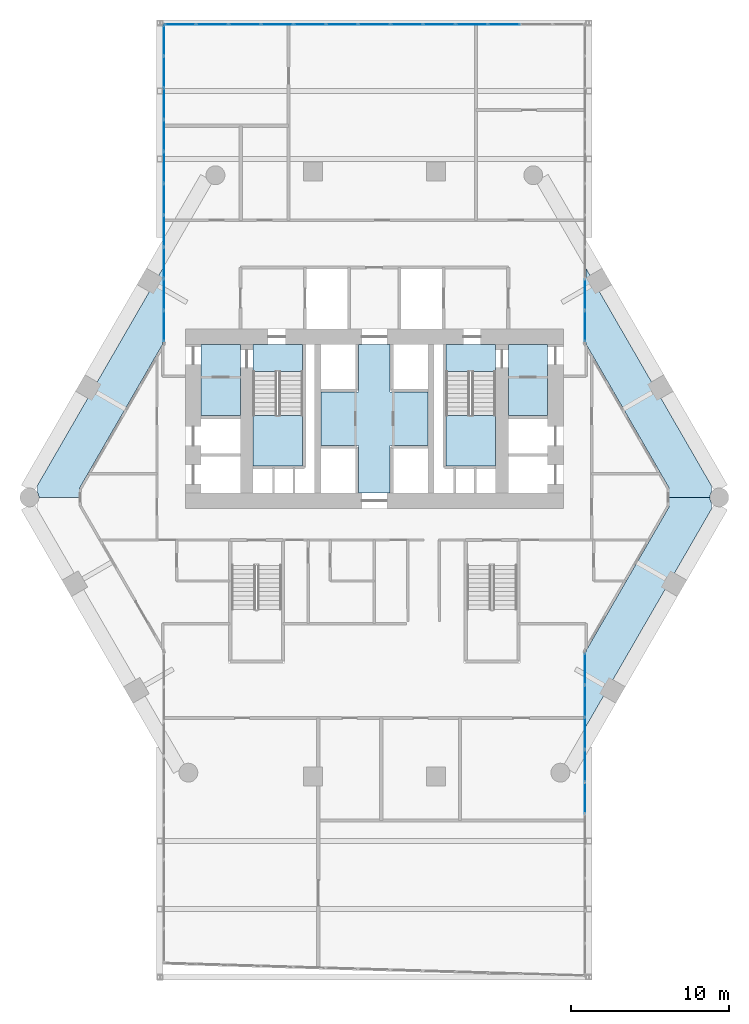
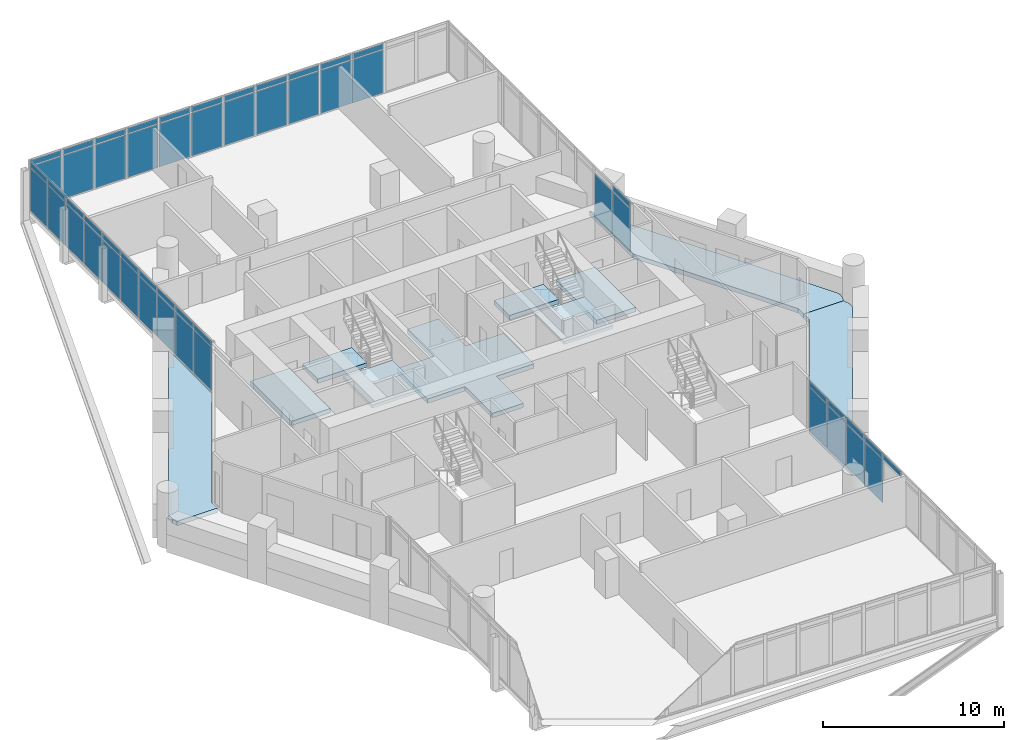
# One storey, part 28 of 37: 54 plates, 10 slabs, 6 elements without a shape of their own.
"""IFC4 building model written with IfcOpenShell, lengths in metres."""

import ifcopenshell
import ifcopenshell.guid

model = None  # the IFC model being written
_history = None  # IfcOwnerHistory: only IFC2X3 demands one
_inside = {}  # id of a spatial element -> (the spatial element, [elements in it])
_under = {}  # id of a project, library or spatial element -> (it, [spatial elements below it])
_declared = {}  # id of a project -> (the project, [libraries it declares])
_typed = {}  # id of a type object -> (the type object, [elements of that type])
_made_of = {}  # id of a material, layer set ... -> (it, [elements and type objects made of it])


def new_model(schema):
    """Start an empty IFC model of exactly this schema.

    Asked for "IFC4X3", IfcOpenShell would pick the latest addendum, in which some entities
    have other attributes; the version numbers below select the first issue.
    IFC2X3 requires an IfcOwnerHistory on every rooted entity: one is made here for all.
    """
    global model, _history
    if schema == "IFC4X3":
        model = ifcopenshell.file(schema_version=(4, 3, 0, 0))
    else:
        model = ifcopenshell.file(schema=schema)
    _inside.clear()
    _under.clear()
    _declared.clear()
    _typed.clear()
    _made_of.clear()
    _history = None
    if model.schema == "IFC2X3":
        org = make("IfcOrganization", Name="unknown")
        user = make(
            "IfcPersonAndOrganization",
            ThePerson=make("IfcPerson", FamilyName="unknown"),
            TheOrganization=org,
        )
        app = make(
            "IfcApplication",
            ApplicationDeveloper=org,
            Version="unknown",
            ApplicationFullName="unknown",
            ApplicationIdentifier="unknown",
        )
        _history = make(
            "IfcOwnerHistory",
            OwningUser=user,
            OwningApplication=app,
            ChangeAction="ADDED",
            CreationDate=0,
        )
    return model


def make(cls, **values):
    """One entity of the class cls with the attributes given. An attribute that is None is left unset."""
    return model.create_entity(
        cls, **{name: value for name, value in values.items() if value is not None}
    )


def rooted(cls, **values):
    """An entity with a GlobalId (a new one), such as an element, a storey or a relation."""
    return make(cls, GlobalId=ifcopenshell.guid.new(), OwnerHistory=_history, **values)


def si_unit(unit_type, name, prefix=None):
    """IfcSIUnit, for example si_unit("LENGTHUNIT", "METRE", prefix="MILLI")."""
    return make("IfcSIUnit", UnitType=unit_type, Prefix=prefix, Name=name)


def assignment(units):
    """IfcUnitAssignment: the units of a project."""
    return None if units is None else make("IfcUnitAssignment", Units=units)


def point(xyz):
    """IfcCartesianPoint."""
    return None if xyz is None else make("IfcCartesianPoint", Coordinates=xyz)


def direction(xyz):
    """IfcDirection."""
    return None if xyz is None else make("IfcDirection", DirectionRatios=xyz)


def frame(location, z_axis=None, x_axis=None):
    """IfcAxis2Placement3D, a coordinate frame: its origin and axes. An axis left out is left unset."""
    return make(
        "IfcAxis2Placement3D",
        Location=point(location),
        Axis=direction(z_axis),
        RefDirection=direction(x_axis),
    )


def frame_2d(location, x_axis=None):
    """IfcAxis2Placement2D, a coordinate frame in the plane: its origin and x axis."""
    return make(
        "IfcAxis2Placement2D", Location=point(location), RefDirection=direction(x_axis)
    )


def origin():
    """The frame at (0, 0, 0) with its axes left unset."""
    return frame((0.0, 0.0, 0.0))


def origin_2d():
    """The frame at (0, 0) in the plane with its x axis left unset."""
    return frame_2d((0.0, 0.0))


def place(relative_to, where):
    """IfcLocalPlacement: puts the frame where relative to a parent placement (None: the world)."""
    return make(
        "IfcLocalPlacement", PlacementRelTo=relative_to, RelativePlacement=where
    )


def context(
    kind, dimensions, precision=None, world=None, true_north=None, identifier=None
):
    """IfcGeometricRepresentationContext, for example the 3D "Model" context."""
    return make(
        "IfcGeometricRepresentationContext",
        ContextIdentifier=identifier,
        ContextType=kind,
        CoordinateSpaceDimension=dimensions,
        Precision=precision,
        WorldCoordinateSystem=world,
        TrueNorth=true_north,
    )


def subcontext(parent, identifier, kind, view, scale=None):
    """IfcGeometricRepresentationSubContext, for example "Body" below "Model"."""
    return make(
        "IfcGeometricRepresentationSubContext",
        ContextIdentifier=identifier,
        ContextType=kind,
        ParentContext=parent,
        TargetScale=scale,
        TargetView=view,
    )


def project(units=None, contexts=None):
    """IfcProject with its units and contexts."""
    return rooted(
        "IfcProject",
        Name="project",
        RepresentationContexts=contexts,
        UnitsInContext=assignment(units),
    )


def spatial(cls, under=None, at=None, **own):
    """A site, building, storey or space (cls), placed at a placement, below another one or the project."""
    s = rooted(cls, ObjectPlacement=at, **own)
    if under is not None:
        _under.setdefault(under.id(), (under, []))[1].append(s)
    return s


def polyline(points):
    """IfcPolyline through the points."""
    return make("IfcPolyline", Points=[point(p) for p in points])


def profile(cls, at=None, kind="AREA", **sizes):
    """A parametric profile (cls). Its sizes go by their IFC names, for example OverallWidth=200.0."""
    return make(cls, ProfileType=kind, Position=at, **sizes)


def rectangle(**sizes):
    """IfcRectangleProfileDef."""
    return profile("IfcRectangleProfileDef", **sizes)


def outline(outer, holes=None, kind="AREA"):
    """IfcArbitraryClosedProfileDef: a profile drawn as a closed curve; with holes, ...WithVoids."""
    if holes is None:
        return make("IfcArbitraryClosedProfileDef", ProfileType=kind, OuterCurve=outer)
    return make(
        "IfcArbitraryProfileDefWithVoids",
        ProfileType=kind,
        OuterCurve=outer,
        InnerCurves=holes,
    )


def extrude(swept, where, along, depth):
    """IfcExtrudedAreaSolid: the profile swept, set in the frame where, extruded along a direction by depth."""
    return make(
        "IfcExtrudedAreaSolid",
        SweptArea=swept,
        Position=where,
        ExtrudedDirection=direction(along),
        Depth=depth,
    )


def shape(context_of_items, identifier, shape_type, items):
    """IfcShapeRepresentation: the items that make up one representation, for example the "Body"."""
    return make(
        "IfcShapeRepresentation",
        ContextOfItems=context_of_items,
        RepresentationIdentifier=identifier,
        RepresentationType=shape_type,
        Items=items,
    )


def material(Name=None, Category=None):
    """IfcMaterial."""
    return make("IfcMaterial", Name=Name, Category=Category)


def layer(
    of_material, thickness, ventilated=None, Name=None, Category=None, Priority=None
):
    """IfcMaterialLayer: one layer of a wall or slab, of a material (None: an air gap)."""
    return make(
        "IfcMaterialLayer",
        Material=of_material,
        LayerThickness=thickness,
        IsVentilated=ventilated,
        Name=Name,
        Category=Category,
        Priority=Priority,
    )


def layer_set(layers, Name=None):
    """IfcMaterialLayerSet."""
    return make("IfcMaterialLayerSet", MaterialLayers=layers, LayerSetName=Name)


def made_of(thing, what):
    """Note that an element or type object is made of a material, layer set ...; save() writes the relation."""
    if what is not None:
        _made_of.setdefault(what.id(), (what, []))[1].append(thing)
    return thing


def type_object(cls, material=None, **own):
    """A type object (cls), such as IfcWallType, which elements share."""
    return made_of(rooted(cls, **own), material)


def element(
    cls,
    number,
    at=None,
    inside=None,
    cuts=None,
    type_object=None,
    material=None,
    context=None,
    identifier="Body",
    shape_type=None,
    held_by="IfcProductDefinitionShape",
    body=None,
    shapes=None,
    **own,
):
    """One element of the class cls, such as IfcWall. Its Tag is "e" and its number.

    at: its placement. inside: the storey or other place that contains it. cuts: it is an
    opening in that element (IfcRelVoidsElement). A single representation is given by context,
    identifier, shape_type and body (its items); several are given by shapes. held_by: the class
    of the entity that holds the representations. save() writes the other relations.
    """
    e = rooted(cls, Tag="e%d" % number, ObjectPlacement=at, **own)
    if body is not None:
        shapes = [shape(context, identifier, shape_type, body)]
    if shapes is not None:
        e.Representation = make(held_by, Representations=shapes)
    if inside is not None:
        _inside.setdefault(inside.id(), (inside, []))[1].append(e)
    if cuts is not None:
        rooted(
            "IfcRelVoidsElement", RelatingBuildingElement=cuts, RelatedOpeningElement=e
        )
    if type_object is not None:
        _typed.setdefault(type_object.id(), (type_object, []))[1].append(e)
    return made_of(e, material)


def aggregate(whole, parts):
    """IfcRelAggregates: a whole, such as a stair, and the parts it consists of."""
    return rooted("IfcRelAggregates", RelatingObject=whole, RelatedObjects=parts)


def save(model, path):
    """Write the relations noted so far, then the file.

    IfcRelAggregates (storeys below a building ...), IfcRelContainedInSpatialStructure (elements
    in a storey), IfcRelDefinesByType, IfcRelAssociatesMaterial and IfcRelDeclares: one each for
    every whole, place, type object, material and project.
    """
    for whole, parts in _under.values():
        aggregate(whole, parts)
    for where, things in _inside.values():
        rooted(
            "IfcRelContainedInSpatialStructure",
            RelatedElements=things,
            RelatingStructure=where,
        )
    for kind, things in _typed.values():
        rooted("IfcRelDefinesByType", RelatedObjects=things, RelatingType=kind)
    for what, things in _made_of.values():
        rooted("IfcRelAssociatesMaterial", RelatedObjects=things, RelatingMaterial=what)
    for by, libraries in _declared.values():
        rooted("IfcRelDeclares", RelatingContext=by, RelatedDefinitions=libraries)
    model.write(path)


model = new_model("IFC4")

# Units and contexts
model_context = context("Model", 3, precision=1e-05, world=origin(), true_north=direction((0.0, 1.0)))
body_context = subcontext(model_context, "Body", "Model", "MODEL_VIEW")
ifc_project = project(units=[si_unit("LENGTHUNIT", "METRE"), si_unit("AREAUNIT", "SQUARE_METRE"), si_unit("VOLUMEUNIT", "CUBIC_METRE"), si_unit("PLANEANGLEUNIT", "RADIAN"), si_unit("MASSUNIT", "GRAM", prefix="KILO")], contexts=[model_context])

# Site, building, storey
site_placement = place(None, origin())
site = spatial("IfcSite", under=ifc_project, at=site_placement, CompositionType="ELEMENT")
building_placement = place(site_placement, origin())
building = spatial("IfcBuilding", under=site, at=building_placement, Name="Ostrander Bayou Hotel Tower", CompositionType="ELEMENT")
storey_placement = place(building_placement, frame((0.0, 0.0, 131.0)))
storey = spatial("IfcBuildingStorey", under=building, at=storey_placement, Name="L32", CompositionType="ELEMENT", Elevation=131.0)

# Curtain wall, plates
ifc_material_1 = material(Name="Aluminium and clear glass", Category="aluminium")
curtain_wall_type = type_object("IfcCurtainWallType", Name="CW-BAR glazed wall", PredefinedType="NOTDEFINED", material=ifc_material_1)
curtain_wall_1_placement = place(storey_placement, origin())
curtain_wall_1 = element("IfcCurtainWall", 1, at=curtain_wall_1_placement, inside=storey, type_object=curtain_wall_type, Name="CW-BAR L32:SB3S:W", PredefinedType="NOTDEFINED")
ifc_material_2 = material(Name="Clear laminated glass", Category="glass")
ifc_layer_1 = layer(ifc_material_2, 0.028076171875)
ifc_layer_set_1 = layer_set([ifc_layer_1], Name="CW-BR glazing panel 28 mm")
plate_type = type_object("IfcPlateType", Name="CW-BR glazing panel 28 mm", PredefinedType="CURTAIN_PANEL", material=ifc_layer_set_1)
plate_1_placement = place(storey_placement, frame((13.3671875, -11.88720703125, 0.06005859375), z_axis=(0.0, 0.0, 1.0), x_axis=(0.0, -1.0, 0.0)))
plate_1 = element("IfcPlate", 2, at=plate_1_placement, type_object=plate_type, Name="CW-BAR panel 1.1", PredefinedType="CURTAIN_PANEL", context=body_context, shape_type="SweptSolid", body=[
    extrude(rectangle(XDim=1.9599609375, YDim=0.028076171875, at=origin_2d()), origin(), (0.0, 0.0, 1.0), 2.909912109375),
])
plate_2_placement = place(storey_placement, frame((13.3671875, -11.88720703125, 3.02978515625), z_axis=(0.0, 0.0, 1.0), x_axis=(0.0, -1.0, 0.0)))
plate_2 = element("IfcPlate", 3, at=plate_2_placement, type_object=plate_type, Name="CW-BAR panel 1.2", PredefinedType="CURTAIN_PANEL", context=body_context, shape_type="SweptSolid", body=[
    extrude(rectangle(XDim=1.9599609375, YDim=0.028076171875, at=origin_2d()), origin(), (0.0, 0.0, 1.0), 0.360107421875),
])
plate_3_placement = place(storey_placement, frame((13.3671875, -13.92236328125, 0.06005859375), z_axis=(0.0, 0.0, 1.0), x_axis=(0.0, -1.0, 0.0)))
plate_3 = element("IfcPlate", 4, at=plate_3_placement, type_object=plate_type, Name="CW-BAR panel 2.1", PredefinedType="CURTAIN_PANEL", context=body_context, shape_type="SweptSolid", body=[
    extrude(rectangle(XDim=1.989990234375, YDim=0.028076171875, at=origin_2d()), origin(), (0.0, 0.0, 1.0), 2.909912109375),
])
plate_4_placement = place(storey_placement, frame((13.3671875, -13.92236328125, 3.02978515625), z_axis=(0.0, 0.0, 1.0), x_axis=(0.0, -1.0, 0.0)))
plate_4 = element("IfcPlate", 5, at=plate_4_placement, type_object=plate_type, Name="CW-BAR panel 2.2", PredefinedType="CURTAIN_PANEL", context=body_context, shape_type="SweptSolid", body=[
    extrude(rectangle(XDim=1.989990234375, YDim=0.028076171875, at=origin_2d()), origin(), (0.0, 0.0, 1.0), 0.360107421875),
])
plate_5_placement = place(storey_placement, frame((13.3671875, -15.972412109375, 0.06005859375), z_axis=(0.0, 0.0, 1.0), x_axis=(0.0, -1.0, 0.0)))
plate_5 = element("IfcPlate", 6, at=plate_5_placement, type_object=plate_type, Name="CW-BAR panel 3.1", PredefinedType="CURTAIN_PANEL", context=body_context, shape_type="SweptSolid", body=[
    extrude(rectangle(XDim=1.989990234375, YDim=0.028076171875, at=origin_2d()), origin(), (0.0, 0.0, 1.0), 2.909912109375),
])
plate_6_placement = place(storey_placement, frame((13.3671875, -15.972412109375, 3.02978515625), z_axis=(0.0, 0.0, 1.0), x_axis=(0.0, -1.0, 0.0)))
plate_6 = element("IfcPlate", 7, at=plate_6_placement, type_object=plate_type, Name="CW-BAR panel 3.2", PredefinedType="CURTAIN_PANEL", context=body_context, shape_type="SweptSolid", body=[
    extrude(rectangle(XDim=1.989990234375, YDim=0.028076171875, at=origin_2d()), origin(), (0.0, 0.0, 1.0), 0.360107421875),
])
plate_7_placement = place(storey_placement, frame((13.3671875, -18.0224609375, 0.06005859375), z_axis=(0.0, 0.0, 1.0), x_axis=(0.0, -1.0, 0.0)))
plate_7 = element("IfcPlate", 8, at=plate_7_placement, type_object=plate_type, Name="CW-BAR panel 4.1", PredefinedType="CURTAIN_PANEL", context=body_context, shape_type="SweptSolid", body=[
    extrude(rectangle(XDim=1.989990234375, YDim=0.028076171875, at=origin_2d()), origin(), (0.0, 0.0, 1.0), 2.909912109375),
])
plate_8_placement = place(storey_placement, frame((13.3671875, -18.0224609375, 3.02978515625), z_axis=(0.0, 0.0, 1.0), x_axis=(0.0, -1.0, 0.0)))
plate_8 = element("IfcPlate", 9, at=plate_8_placement, type_object=plate_type, Name="CW-BAR panel 4.2", PredefinedType="CURTAIN_PANEL", context=body_context, shape_type="SweptSolid", body=[
    extrude(rectangle(XDim=1.989990234375, YDim=0.028076171875, at=origin_2d()), origin(), (0.0, 0.0, 1.0), 0.360107421875),
])
plate_9_placement = place(storey_placement, frame((13.3671875, -20.072509765625, 3.02978515625), z_axis=(0.0, 0.0, 1.0), x_axis=(0.0, -1.0, 0.0)))
plate_9 = element("IfcPlate", 10, at=plate_9_placement, type_object=plate_type, Name="CW-BAR panel 5.2", PredefinedType="CURTAIN_PANEL", context=body_context, shape_type="SweptSolid", body=[
    extrude(rectangle(XDim=1.989990234375, YDim=0.028076171875, at=origin_2d()), origin(), (0.0, 0.0, 1.0), 0.360107421875),
])
aggregate(curtain_wall_1, [plate_1, plate_2, plate_3, plate_4, plate_5, plate_6, plate_7, plate_8, plate_9])

curtain_wall_2_placement = place(storey_placement, origin())
curtain_wall_2 = element("IfcCurtainWall", 11, at=curtain_wall_2_placement, inside=storey, type_object=curtain_wall_type, Name="CW-BAR L32:SB3N:E", PredefinedType="NOTDEFINED")
plate_10_placement = place(storey_placement, frame((-13.3671875, 9.885498046875, 0.06005859375), z_axis=(0.0, 0.0, 1.0), x_axis=(0.0, 1.0, 0.0)))
plate_10 = element("IfcPlate", 12, at=plate_10_placement, type_object=plate_type, Name="CW-BAR panel 1.1", PredefinedType="CURTAIN_PANEL", context=body_context, shape_type="SweptSolid", body=[
    extrude(rectangle(XDim=1.927490234375, YDim=0.028076171875, at=origin_2d()), origin(), (0.0, 0.0, 1.0), 2.909912109375),
])
plate_11_placement = place(storey_placement, frame((-13.3671875, 9.885498046875, 3.02978515625), z_axis=(0.0, 0.0, 1.0), x_axis=(0.0, 1.0, 0.0)))
plate_11 = element("IfcPlate", 13, at=plate_11_placement, type_object=plate_type, Name="CW-BAR panel 1.2", PredefinedType="CURTAIN_PANEL", context=body_context, shape_type="SweptSolid", body=[
    extrude(rectangle(XDim=1.927490234375, YDim=0.028076171875, at=origin_2d()), origin(), (0.0, 0.0, 1.0), 0.360107421875),
])
plate_12_placement = place(storey_placement, frame((-13.3671875, 11.887939453125, 0.06005859375), z_axis=(0.0, 0.0, 1.0), x_axis=(0.0, 1.0, 0.0)))
plate_12 = element("IfcPlate", 14, at=plate_12_placement, type_object=plate_type, Name="CW-BAR panel 2.1", PredefinedType="CURTAIN_PANEL", context=body_context, shape_type="SweptSolid", body=[
    extrude(rectangle(XDim=1.95751953125, YDim=0.028076171875, at=origin_2d()), origin(), (0.0, 0.0, 1.0), 2.909912109375),
])
plate_13_placement = place(storey_placement, frame((-13.3671875, 11.887939453125, 3.02978515625), z_axis=(0.0, 0.0, 1.0), x_axis=(0.0, 1.0, 0.0)))
plate_13 = element("IfcPlate", 15, at=plate_13_placement, type_object=plate_type, Name="CW-BAR panel 2.2", PredefinedType="CURTAIN_PANEL", context=body_context, shape_type="SweptSolid", body=[
    extrude(rectangle(XDim=1.95751953125, YDim=0.028076171875, at=origin_2d()), origin(), (0.0, 0.0, 1.0), 0.360107421875),
])
plate_14_placement = place(storey_placement, frame((-13.3671875, 13.905517578125, 0.06005859375), z_axis=(0.0, 0.0, 1.0), x_axis=(0.0, 1.0, 0.0)))
plate_14 = element("IfcPlate", 16, at=plate_14_placement, type_object=plate_type, Name="CW-BAR panel 3.1", PredefinedType="CURTAIN_PANEL", context=body_context, shape_type="SweptSolid", body=[
    extrude(rectangle(XDim=1.95751953125, YDim=0.028076171875, at=origin_2d()), origin(), (0.0, 0.0, 1.0), 2.909912109375),
])
plate_15_placement = place(storey_placement, frame((-13.3671875, 13.905517578125, 3.02978515625), z_axis=(0.0, 0.0, 1.0), x_axis=(0.0, 1.0, 0.0)))
plate_15 = element("IfcPlate", 17, at=plate_15_placement, type_object=plate_type, Name="CW-BAR panel 3.2", PredefinedType="CURTAIN_PANEL", context=body_context, shape_type="SweptSolid", body=[
    extrude(rectangle(XDim=1.95751953125, YDim=0.028076171875, at=origin_2d()), origin(), (0.0, 0.0, 1.0), 0.360107421875),
])
plate_16_placement = place(storey_placement, frame((-13.3671875, 15.923095703125, 0.06005859375), z_axis=(0.0, 0.0, 1.0), x_axis=(0.0, 1.0, 0.0)))
plate_16 = element("IfcPlate", 18, at=plate_16_placement, type_object=plate_type, Name="CW-BAR panel 4.1", PredefinedType="CURTAIN_PANEL", context=body_context, shape_type="SweptSolid", body=[
    extrude(rectangle(XDim=1.95751953125, YDim=0.028076171875, at=origin_2d()), origin(), (0.0, 0.0, 1.0), 2.909912109375),
])
plate_17_placement = place(storey_placement, frame((-13.3671875, 15.923095703125, 3.02978515625), z_axis=(0.0, 0.0, 1.0), x_axis=(0.0, 1.0, 0.0)))
plate_17 = element("IfcPlate", 19, at=plate_17_placement, type_object=plate_type, Name="CW-BAR panel 4.2", PredefinedType="CURTAIN_PANEL", context=body_context, shape_type="SweptSolid", body=[
    extrude(rectangle(XDim=1.95751953125, YDim=0.028076171875, at=origin_2d()), origin(), (0.0, 0.0, 1.0), 0.360107421875),
])
plate_18_placement = place(storey_placement, frame((-13.3671875, 17.940673828125, 0.06005859375), z_axis=(0.0, 0.0, 1.0), x_axis=(0.0, 1.0, 0.0)))
plate_18 = element("IfcPlate", 20, at=plate_18_placement, type_object=plate_type, Name="CW-BAR panel 5.1", PredefinedType="CURTAIN_PANEL", context=body_context, shape_type="SweptSolid", body=[
    extrude(rectangle(XDim=1.95751953125, YDim=0.028076171875, at=origin_2d()), origin(), (0.0, 0.0, 1.0), 2.909912109375),
])
plate_19_placement = place(storey_placement, frame((-13.3671875, 17.940673828125, 3.02978515625), z_axis=(0.0, 0.0, 1.0), x_axis=(0.0, 1.0, 0.0)))
plate_19 = element("IfcPlate", 21, at=plate_19_placement, type_object=plate_type, Name="CW-BAR panel 5.2", PredefinedType="CURTAIN_PANEL", context=body_context, shape_type="SweptSolid", body=[
    extrude(rectangle(XDim=1.95751953125, YDim=0.028076171875, at=origin_2d()), origin(), (0.0, 0.0, 1.0), 0.360107421875),
])
plate_20_placement = place(storey_placement, frame((-13.3671875, 19.958251953125, 0.06005859375), z_axis=(0.0, 0.0, 1.0), x_axis=(0.0, 1.0, 0.0)))
plate_20 = element("IfcPlate", 22, at=plate_20_placement, type_object=plate_type, Name="CW-BAR panel 6.1", PredefinedType="CURTAIN_PANEL", context=body_context, shape_type="SweptSolid", body=[
    extrude(rectangle(XDim=1.95751953125, YDim=0.028076171875, at=origin_2d()), origin(), (0.0, 0.0, 1.0), 2.909912109375),
])
plate_21_placement = place(storey_placement, frame((-13.3671875, 19.958251953125, 3.02978515625), z_axis=(0.0, 0.0, 1.0), x_axis=(0.0, 1.0, 0.0)))
plate_21 = element("IfcPlate", 23, at=plate_21_placement, type_object=plate_type, Name="CW-BAR panel 6.2", PredefinedType="CURTAIN_PANEL", context=body_context, shape_type="SweptSolid", body=[
    extrude(rectangle(XDim=1.95751953125, YDim=0.028076171875, at=origin_2d()), origin(), (0.0, 0.0, 1.0), 0.360107421875),
])
plate_22_placement = place(storey_placement, frame((-13.3671875, 21.975830078125, 0.06005859375), z_axis=(0.0, 0.0, 1.0), x_axis=(0.0, 1.0, 0.0)))
plate_22 = element("IfcPlate", 24, at=plate_22_placement, type_object=plate_type, Name="CW-BAR panel 7.1", PredefinedType="CURTAIN_PANEL", context=body_context, shape_type="SweptSolid", body=[
    extrude(rectangle(XDim=1.95751953125, YDim=0.028076171875, at=origin_2d()), origin(), (0.0, 0.0, 1.0), 2.909912109375),
])
plate_23_placement = place(storey_placement, frame((-13.3671875, 21.975830078125, 3.02978515625), z_axis=(0.0, 0.0, 1.0), x_axis=(0.0, 1.0, 0.0)))
plate_23 = element("IfcPlate", 25, at=plate_23_placement, type_object=plate_type, Name="CW-BAR panel 7.2", PredefinedType="CURTAIN_PANEL", context=body_context, shape_type="SweptSolid", body=[
    extrude(rectangle(XDim=1.95751953125, YDim=0.028076171875, at=origin_2d()), origin(), (0.0, 0.0, 1.0), 0.360107421875),
])
plate_24_placement = place(storey_placement, frame((-13.3671875, 23.9931640625, 0.06005859375), z_axis=(0.0, 0.0, 1.0), x_axis=(0.0, 1.0, 0.0)))
plate_24 = element("IfcPlate", 26, at=plate_24_placement, type_object=plate_type, Name="CW-BAR panel 8.1", PredefinedType="CURTAIN_PANEL", context=body_context, shape_type="SweptSolid", body=[
    extrude(rectangle(XDim=1.95751953125, YDim=0.028076171875, at=origin_2d()), origin(), (0.0, 0.0, 1.0), 2.909912109375),
])
plate_25_placement = place(storey_placement, frame((-13.3671875, 23.9931640625, 3.02978515625), z_axis=(0.0, 0.0, 1.0), x_axis=(0.0, 1.0, 0.0)))
plate_25 = element("IfcPlate", 27, at=plate_25_placement, type_object=plate_type, Name="CW-BAR panel 8.2", PredefinedType="CURTAIN_PANEL", context=body_context, shape_type="SweptSolid", body=[
    extrude(rectangle(XDim=1.95751953125, YDim=0.028076171875, at=origin_2d()), origin(), (0.0, 0.0, 1.0), 0.360107421875),
])
plate_26_placement = place(storey_placement, frame((-13.3671875, 26.0107421875, 0.06005859375), z_axis=(0.0, 0.0, 1.0), x_axis=(0.0, 1.0, 0.0)))
plate_26 = element("IfcPlate", 28, at=plate_26_placement, type_object=plate_type, Name="CW-BAR panel 9.1", PredefinedType="CURTAIN_PANEL", context=body_context, shape_type="SweptSolid", body=[
    extrude(rectangle(XDim=1.95751953125, YDim=0.028076171875, at=origin_2d()), origin(), (0.0, 0.0, 1.0), 2.909912109375),
])
plate_27_placement = place(storey_placement, frame((-13.3671875, 26.0107421875, 3.02978515625), z_axis=(0.0, 0.0, 1.0), x_axis=(0.0, 1.0, 0.0)))
plate_27 = element("IfcPlate", 29, at=plate_27_placement, type_object=plate_type, Name="CW-BAR panel 9.2", PredefinedType="CURTAIN_PANEL", context=body_context, shape_type="SweptSolid", body=[
    extrude(rectangle(XDim=1.95751953125, YDim=0.028076171875, at=origin_2d()), origin(), (0.0, 0.0, 1.0), 0.360107421875),
])
plate_28_placement = place(storey_placement, frame((-13.3671875, 28.013427734375, 0.06005859375), z_axis=(0.0, 0.0, 1.0), x_axis=(0.0, 1.0, 0.0)))
plate_28 = element("IfcPlate", 30, at=plate_28_placement, type_object=plate_type, Name="CW-BAR panel 10.1", PredefinedType="CURTAIN_PANEL", context=body_context, shape_type="SweptSolid", body=[
    extrude(rectangle(XDim=1.927490234375, YDim=0.028076171875, at=origin_2d()), origin(), (0.0, 0.0, 1.0), 2.909912109375),
])
plate_29_placement = place(storey_placement, frame((-13.3671875, 28.013427734375, 3.02978515625), z_axis=(0.0, 0.0, 1.0), x_axis=(0.0, 1.0, 0.0)))
plate_29 = element("IfcPlate", 31, at=plate_29_placement, type_object=plate_type, Name="CW-BAR panel 10.2", PredefinedType="CURTAIN_PANEL", context=body_context, shape_type="SweptSolid", body=[
    extrude(rectangle(XDim=1.927490234375, YDim=0.028076171875, at=origin_2d()), origin(), (0.0, 0.0, 1.0), 0.360107421875),
])
aggregate(curtain_wall_2, [plate_10, plate_11, plate_12, plate_13, plate_14, plate_15, plate_16, plate_17, plate_18, plate_19, plate_20, plate_21, plate_22, plate_23, plate_24, plate_25, plate_26, plate_27, plate_28, plate_29])

curtain_wall_3_placement = place(storey_placement, origin())
curtain_wall_3 = element("IfcCurtainWall", 32, at=curtain_wall_3_placement, inside=storey, type_object=curtain_wall_type, Name="CW-BAR L32:SB3N:T", PredefinedType="NOTDEFINED")
plate_30_placement = place(storey_placement, frame((-12.323974609375, 29.037109375, 0.06005859375), z_axis=(0.0, 0.0, 1.0), x_axis=(1.0, 0.0, 0.0)))
plate_30 = element("IfcPlate", 33, at=plate_30_placement, type_object=plate_type, Name="CW-BAR panel 1.1", PredefinedType="CURTAIN_PANEL", context=body_context, shape_type="SweptSolid", body=[
    extrude(rectangle(XDim=1.966552734375, YDim=0.028076171875, at=origin_2d()), origin(), (0.0, 0.0, 1.0), 2.909912109375),
])
plate_31_placement = place(storey_placement, frame((-12.323974609375, 29.037109375, 3.02978515625), z_axis=(0.0, 0.0, 1.0), x_axis=(1.0, 0.0, 0.0)))
plate_31 = element("IfcPlate", 34, at=plate_31_placement, type_object=plate_type, Name="CW-BAR panel 1.2", PredefinedType="CURTAIN_PANEL", context=body_context, shape_type="SweptSolid", body=[
    extrude(rectangle(XDim=1.966552734375, YDim=0.028076171875, at=origin_2d()), origin(), (0.0, 0.0, 1.0), 0.360107421875),
])
plate_32_placement = place(storey_placement, frame((-10.282470703125, 29.037109375, 0.06005859375), z_axis=(0.0, 0.0, 1.0), x_axis=(1.0, 0.0, 0.0)))
plate_32 = element("IfcPlate", 35, at=plate_32_placement, type_object=plate_type, Name="CW-BAR panel 2.1", PredefinedType="CURTAIN_PANEL", context=body_context, shape_type="SweptSolid", body=[
    extrude(rectangle(XDim=1.99658203125, YDim=0.028076171875, at=origin_2d()), origin(), (0.0, 0.0, 1.0), 2.909912109375),
])
plate_33_placement = place(storey_placement, frame((-10.282470703125, 29.037109375, 3.02978515625), z_axis=(0.0, 0.0, 1.0), x_axis=(1.0, 0.0, 0.0)))
plate_33 = element("IfcPlate", 36, at=plate_33_placement, type_object=plate_type, Name="CW-BAR panel 2.2", PredefinedType="CURTAIN_PANEL", context=body_context, shape_type="SweptSolid", body=[
    extrude(rectangle(XDim=1.99658203125, YDim=0.028076171875, at=origin_2d()), origin(), (0.0, 0.0, 1.0), 0.360107421875),
])
plate_34_placement = place(storey_placement, frame((-8.22607421875, 29.037109375, 0.06005859375), z_axis=(0.0, 0.0, 1.0), x_axis=(1.0, 0.0, 0.0)))
plate_34 = element("IfcPlate", 37, at=plate_34_placement, type_object=plate_type, Name="CW-BAR panel 3.1", PredefinedType="CURTAIN_PANEL", context=body_context, shape_type="SweptSolid", body=[
    extrude(rectangle(XDim=1.99658203125, YDim=0.028076171875, at=origin_2d()), origin(), (0.0, 0.0, 1.0), 2.909912109375),
])
plate_35_placement = place(storey_placement, frame((-8.22607421875, 29.037109375, 3.02978515625), z_axis=(0.0, 0.0, 1.0), x_axis=(1.0, 0.0, 0.0)))
plate_35 = element("IfcPlate", 38, at=plate_35_placement, type_object=plate_type, Name="CW-BAR panel 3.2", PredefinedType="CURTAIN_PANEL", context=body_context, shape_type="SweptSolid", body=[
    extrude(rectangle(XDim=1.99658203125, YDim=0.028076171875, at=origin_2d()), origin(), (0.0, 0.0, 1.0), 0.360107421875),
])
plate_36_placement = place(storey_placement, frame((-6.16943359375, 29.037109375, 0.06005859375), z_axis=(0.0, 0.0, 1.0), x_axis=(1.0, 0.0, 0.0)))
plate_36 = element("IfcPlate", 39, at=plate_36_placement, type_object=plate_type, Name="CW-BAR panel 4.1", PredefinedType="CURTAIN_PANEL", context=body_context, shape_type="SweptSolid", body=[
    extrude(rectangle(XDim=1.99658203125, YDim=0.028076171875, at=origin_2d()), origin(), (0.0, 0.0, 1.0), 2.909912109375),
])
plate_37_placement = place(storey_placement, frame((-6.16943359375, 29.037109375, 3.02978515625), z_axis=(0.0, 0.0, 1.0), x_axis=(1.0, 0.0, 0.0)))
plate_37 = element("IfcPlate", 40, at=plate_37_placement, type_object=plate_type, Name="CW-BAR panel 4.2", PredefinedType="CURTAIN_PANEL", context=body_context, shape_type="SweptSolid", body=[
    extrude(rectangle(XDim=1.99658203125, YDim=0.028076171875, at=origin_2d()), origin(), (0.0, 0.0, 1.0), 0.360107421875),
])
plate_38_placement = place(storey_placement, frame((-4.113037109375, 29.037109375, 0.06005859375), z_axis=(0.0, 0.0, 1.0), x_axis=(1.0, 0.0, 0.0)))
plate_38 = element("IfcPlate", 41, at=plate_38_placement, type_object=plate_type, Name="CW-BAR panel 5.1", PredefinedType="CURTAIN_PANEL", context=body_context, shape_type="SweptSolid", body=[
    extrude(rectangle(XDim=1.99658203125, YDim=0.028076171875, at=origin_2d()), origin(), (0.0, 0.0, 1.0), 2.909912109375),
])
plate_39_placement = place(storey_placement, frame((-4.113037109375, 29.037109375, 3.02978515625), z_axis=(0.0, 0.0, 1.0), x_axis=(1.0, 0.0, 0.0)))
plate_39 = element("IfcPlate", 42, at=plate_39_placement, type_object=plate_type, Name="CW-BAR panel 5.2", PredefinedType="CURTAIN_PANEL", context=body_context, shape_type="SweptSolid", body=[
    extrude(rectangle(XDim=1.99658203125, YDim=0.028076171875, at=origin_2d()), origin(), (0.0, 0.0, 1.0), 0.360107421875),
])
plate_40_placement = place(storey_placement, frame((-2.056396484375, 29.037109375, 0.06005859375), z_axis=(0.0, 0.0, 1.0), x_axis=(1.0, 0.0, 0.0)))
plate_40 = element("IfcPlate", 43, at=plate_40_placement, type_object=plate_type, Name="CW-BAR panel 6.1", PredefinedType="CURTAIN_PANEL", context=body_context, shape_type="SweptSolid", body=[
    extrude(rectangle(XDim=1.99658203125, YDim=0.028076171875, at=origin_2d()), origin(), (0.0, 0.0, 1.0), 2.909912109375),
])
plate_41_placement = place(storey_placement, frame((-2.056396484375, 29.037109375, 3.02978515625), z_axis=(0.0, 0.0, 1.0), x_axis=(1.0, 0.0, 0.0)))
plate_41 = element("IfcPlate", 44, at=plate_41_placement, type_object=plate_type, Name="CW-BAR panel 6.2", PredefinedType="CURTAIN_PANEL", context=body_context, shape_type="SweptSolid", body=[
    extrude(rectangle(XDim=1.99658203125, YDim=0.028076171875, at=origin_2d()), origin(), (0.0, 0.0, 1.0), 0.360107421875),
])
plate_42_placement = place(storey_placement, frame((0.0, 29.037109375, 0.06005859375), z_axis=(0.0, 0.0, 1.0), x_axis=(1.0, 0.0, 0.0)))
plate_42 = element("IfcPlate", 45, at=plate_42_placement, type_object=plate_type, Name="CW-BAR panel 7.1", PredefinedType="CURTAIN_PANEL", context=body_context, shape_type="SweptSolid", body=[
    extrude(rectangle(XDim=1.99658203125, YDim=0.028076171875, at=origin_2d()), origin(), (0.0, 0.0, 1.0), 2.909912109375),
])
plate_43_placement = place(storey_placement, frame((0.0, 29.037109375, 3.02978515625), z_axis=(0.0, 0.0, 1.0), x_axis=(1.0, 0.0, 0.0)))
plate_43 = element("IfcPlate", 46, at=plate_43_placement, type_object=plate_type, Name="CW-BAR panel 7.2", PredefinedType="CURTAIN_PANEL", context=body_context, shape_type="SweptSolid", body=[
    extrude(rectangle(XDim=1.99658203125, YDim=0.028076171875, at=origin_2d()), origin(), (0.0, 0.0, 1.0), 0.360107421875),
])
plate_44_placement = place(storey_placement, frame((2.056396484375, 29.037109375, 0.06005859375), z_axis=(0.0, 0.0, 1.0), x_axis=(1.0, 0.0, 0.0)))
plate_44 = element("IfcPlate", 47, at=plate_44_placement, type_object=plate_type, Name="CW-BAR panel 8.1", PredefinedType="CURTAIN_PANEL", context=body_context, shape_type="SweptSolid", body=[
    extrude(rectangle(XDim=1.99658203125, YDim=0.028076171875, at=origin_2d()), origin(), (0.0, 0.0, 1.0), 2.909912109375),
])
plate_45_placement = place(storey_placement, frame((2.056396484375, 29.037109375, 3.02978515625), z_axis=(0.0, 0.0, 1.0), x_axis=(1.0, 0.0, 0.0)))
plate_45 = element("IfcPlate", 48, at=plate_45_placement, type_object=plate_type, Name="CW-BAR panel 8.2", PredefinedType="CURTAIN_PANEL", context=body_context, shape_type="SweptSolid", body=[
    extrude(rectangle(XDim=1.99658203125, YDim=0.028076171875, at=origin_2d()), origin(), (0.0, 0.0, 1.0), 0.360107421875),
])
plate_46_placement = place(storey_placement, frame((4.113037109375, 29.037109375, 0.06005859375), z_axis=(0.0, 0.0, 1.0), x_axis=(1.0, 0.0, 0.0)))
plate_46 = element("IfcPlate", 49, at=plate_46_placement, type_object=plate_type, Name="CW-BAR panel 9.1", PredefinedType="CURTAIN_PANEL", context=body_context, shape_type="SweptSolid", body=[
    extrude(rectangle(XDim=1.99658203125, YDim=0.028076171875, at=origin_2d()), origin(), (0.0, 0.0, 1.0), 2.909912109375),
])
plate_47_placement = place(storey_placement, frame((4.113037109375, 29.037109375, 3.02978515625), z_axis=(0.0, 0.0, 1.0), x_axis=(1.0, 0.0, 0.0)))
plate_47 = element("IfcPlate", 50, at=plate_47_placement, type_object=plate_type, Name="CW-BAR panel 9.2", PredefinedType="CURTAIN_PANEL", context=body_context, shape_type="SweptSolid", body=[
    extrude(rectangle(XDim=1.99658203125, YDim=0.028076171875, at=origin_2d()), origin(), (0.0, 0.0, 1.0), 0.360107421875),
])
plate_48_placement = place(storey_placement, frame((6.16943359375, 29.037109375, 0.06005859375), z_axis=(0.0, 0.0, 1.0), x_axis=(1.0, 0.0, 0.0)))
plate_48 = element("IfcPlate", 51, at=plate_48_placement, type_object=plate_type, Name="CW-BAR panel 10.1", PredefinedType="CURTAIN_PANEL", context=body_context, shape_type="SweptSolid", body=[
    extrude(rectangle(XDim=1.99658203125, YDim=0.028076171875, at=origin_2d()), origin(), (0.0, 0.0, 1.0), 2.909912109375),
])
plate_49_placement = place(storey_placement, frame((6.16943359375, 29.037109375, 3.02978515625), z_axis=(0.0, 0.0, 1.0), x_axis=(1.0, 0.0, 0.0)))
plate_49 = element("IfcPlate", 52, at=plate_49_placement, type_object=plate_type, Name="CW-BAR panel 10.2", PredefinedType="CURTAIN_PANEL", context=body_context, shape_type="SweptSolid", body=[
    extrude(rectangle(XDim=1.99658203125, YDim=0.028076171875, at=origin_2d()), origin(), (0.0, 0.0, 1.0), 0.360107421875),
])
plate_50_placement = place(storey_placement, frame((8.22607421875, 29.037109375, 0.06005859375), z_axis=(0.0, 0.0, 1.0), x_axis=(1.0, 0.0, 0.0)))
plate_50 = element("IfcPlate", 53, at=plate_50_placement, type_object=plate_type, Name="CW-BAR panel 11.1", PredefinedType="CURTAIN_PANEL", context=body_context, shape_type="SweptSolid", body=[
    extrude(rectangle(XDim=1.99658203125, YDim=0.028076171875, at=origin_2d()), origin(), (0.0, 0.0, 1.0), 2.909912109375),
])
plate_51_placement = place(storey_placement, frame((8.22607421875, 29.037109375, 3.02978515625), z_axis=(0.0, 0.0, 1.0), x_axis=(1.0, 0.0, 0.0)))
plate_51 = element("IfcPlate", 54, at=plate_51_placement, type_object=plate_type, Name="CW-BAR panel 11.2", PredefinedType="CURTAIN_PANEL", context=body_context, shape_type="SweptSolid", body=[
    extrude(rectangle(XDim=1.99658203125, YDim=0.028076171875, at=origin_2d()), origin(), (0.0, 0.0, 1.0), 0.360107421875),
])
aggregate(curtain_wall_3, [plate_30, plate_31, plate_32, plate_33, plate_34, plate_35, plate_36, plate_37, plate_38, plate_39, plate_40, plate_41, plate_42, plate_43, plate_44, plate_45, plate_46, plate_47, plate_48, plate_49, plate_50, plate_51])

curtain_wall_4_placement = place(storey_placement, origin())
curtain_wall_4 = element("IfcCurtainWall", 55, at=curtain_wall_4_placement, inside=storey, type_object=curtain_wall_type, Name="CW-BAR L32:SB3N:W", PredefinedType="NOTDEFINED")
plate_52_placement = place(storey_placement, frame((13.3671875, 9.885498046875, 0.06005859375), z_axis=(0.0, 0.0, 1.0), x_axis=(0.0, 1.0, 0.0)))
plate_52 = element("IfcPlate", 56, at=plate_52_placement, type_object=plate_type, Name="CW-BAR panel 1.1", PredefinedType="CURTAIN_PANEL", context=body_context, shape_type="SweptSolid", body=[
    extrude(rectangle(XDim=1.927490234375, YDim=0.028076171875, at=origin_2d()), origin(), (0.0, 0.0, 1.0), 2.909912109375),
])
plate_53_placement = place(storey_placement, frame((13.3671875, 9.885498046875, 3.02978515625), z_axis=(0.0, 0.0, 1.0), x_axis=(0.0, 1.0, 0.0)))
plate_53 = element("IfcPlate", 57, at=plate_53_placement, type_object=plate_type, Name="CW-BAR panel 1.2", PredefinedType="CURTAIN_PANEL", context=body_context, shape_type="SweptSolid", body=[
    extrude(rectangle(XDim=1.927490234375, YDim=0.028076171875, at=origin_2d()), origin(), (0.0, 0.0, 1.0), 0.360107421875),
])
plate_54_placement = place(storey_placement, frame((13.3671875, 11.887939453125, 0.06005859375), z_axis=(0.0, 0.0, 1.0), x_axis=(0.0, 1.0, 0.0)))
plate_54 = element("IfcPlate", 58, at=plate_54_placement, type_object=plate_type, Name="CW-BAR panel 2.1", PredefinedType="CURTAIN_PANEL", context=body_context, shape_type="SweptSolid", body=[
    extrude(rectangle(XDim=1.95751953125, YDim=0.028076171875, at=origin_2d()), origin(), (0.0, 0.0, 1.0), 2.909912109375),
])
aggregate(curtain_wall_4, [plate_52, plate_53, plate_54])

# Slabs
ifc_material_3 = material(Name="Concrete f'c 40 MPa", Category="concrete")
ifc_layer_2 = layer(ifc_material_3, 0.300048828125)
ifc_layer_set_2 = layer_set([ifc_layer_2], Name="SL1 floor slab 300 mm f'c 40 MPa")
slab_type_1 = type_object("IfcSlabType", Name="SL1 floor slab 300 mm f'c 40 MPa", PredefinedType="FLOOR", material=ifc_layer_set_2)
slab_1_placement = place(storey_placement, frame((0.0, 0.0, -0.300048828125)))
element("IfcSlab", 59, at=slab_1_placement, inside=storey, type_object=slab_type_1, Name="cslab:L32:001", PredefinedType="FLOOR", context=body_context, shape_type="SweptSolid", body=[
    extrude(outline(polyline([(-3.39990234375, 5.699951171875), (-1.0, 5.699951171875), (-1.0, 8.699951171875), (1.0, 8.699951171875), (1.0, 5.699951171875), (3.39990234375, 5.699951171875), (3.39990234375, 2.300048828125), (1.0, 2.300048828125), (1.0, -0.699951171875), (-1.0, -0.699951171875), (-1.0, 2.300048828125), (-3.39990234375, 2.300048828125), (-3.39990234375, 5.699951171875)])), origin(), (0.0, 0.0, 1.0), 0.300048828125),
])
slab_2_placement = place(storey_placement, frame((0.0, 0.0, -0.300048828125)))
element("IfcSlab", 60, at=slab_2_placement, inside=storey, type_object=slab_type_1, Name="cslab:L32:002", PredefinedType="FLOOR", context=body_context, shape_type="SweptSolid", body=[
    extrude(outline(polyline([(-8.5, 4.199951171875), (-8.5, 8.699951171875), (-11.0, 8.699951171875), (-11.0, 4.199951171875), (-8.5, 4.199951171875)])), origin(), (0.0, 0.0, 1.0), 0.300048828125),
])
slab_3_placement = place(storey_placement, frame((0.0, 0.0, -0.300048828125)))
element("IfcSlab", 61, at=slab_3_placement, inside=storey, type_object=slab_type_1, Name="cslab:L32:003", PredefinedType="FLOOR", context=body_context, shape_type="SweptSolid", body=[
    extrude(outline(polyline([(11.0, 4.199951171875), (11.0, 8.699951171875), (8.5, 8.699951171875), (8.5, 4.199951171875), (11.0, 4.199951171875)])), origin(), (0.0, 0.0, 1.0), 0.300048828125),
])
slab_4_placement = place(storey_placement, frame((0.0, 0.0, -0.300048828125)))
element("IfcSlab", 62, at=slab_4_placement, inside=storey, type_object=slab_type_1, Name="cslab:L32:004", PredefinedType="FLOOR", context=body_context, shape_type="SweptSolid", body=[
    extrude(outline(polyline([(-4.550048828125, 7.0), (-4.550048828125, 8.699951171875), (-7.699951171875, 8.699951171875), (-7.699951171875, 7.0), (-4.550048828125, 7.0)])), origin(), (0.0, 0.0, 1.0), 0.300048828125),
])
slab_5_placement = place(storey_placement, frame((0.0, 0.0, -0.300048828125)))
element("IfcSlab", 63, at=slab_5_placement, inside=storey, type_object=slab_type_1, Name="cslab:L32:005", PredefinedType="FLOOR", context=body_context, shape_type="SweptSolid", body=[
    extrude(outline(polyline([(7.699951171875, 7.0), (7.699951171875, 8.699951171875), (4.550048828125, 8.699951171875), (4.550048828125, 7.0), (7.699951171875, 7.0)])), origin(), (0.0, 0.0, 1.0), 0.300048828125),
])
ifc_material_4 = material(Name="Concrete f'c 40 MPa", Category="concrete")
ifc_layer_3 = layer(ifc_material_4, 0.300048828125)
ifc_layer_set_3 = layer_set([ifc_layer_3], Name="SL4 loggia slab 300 mm f'c 40 MPa")
slab_type_2 = type_object("IfcSlabType", Name="SL4 loggia slab 300 mm f'c 40 MPa", PredefinedType="FLOOR", material=ifc_layer_set_3)
slab_6_placement = place(storey_placement, frame((0.0, 0.0, -0.300048828125)))
element("IfcSlab", 64, at=slab_6_placement, inside=storey, type_object=slab_type_2, Name="SL4 LOGGIA L32 NW 1", PredefinedType="FLOOR", context=body_context, shape_type="SweptSolid", body=[
    extrude(outline(polyline([(-13.442138671875, 13.53173828125), (-13.442138671875, 8.731689453125), (-18.710205078125, -0.392822265625), (-18.710205078125, -0.992919921875), (-21.2958984375, -0.992919921875), (-21.3076171875, -0.875732421875), (-21.341552734375, -0.76318359375), (-21.39501953125, -0.663330078125), (-21.39501953125, -0.242919921875), (-17.609619140625, 6.31396484375), (-14.272705078125, 12.09326171875), (-13.662109375, 13.151123046875), (-13.442138671875, 13.53173828125)])), origin(), (0.0, 0.0, 1.0), 0.300048828125),
])
slab_7_placement = place(storey_placement, frame((0.0, 0.0, -0.300048828125)))
element("IfcSlab", 65, at=slab_7_placement, inside=storey, type_object=slab_type_2, Name="SL4 LOGGIA L32 SE 1", PredefinedType="FLOOR", context=body_context, shape_type="SweptSolid", body=[
    extrude(outline(polyline([(15.132568359375, -12.589599609375), (14.5625, -13.576904296875), (13.442138671875, -15.517333984375), (13.442138671875, -10.71728515625), (18.710205078125, -1.5927734375), (18.710205078125, -0.992919921875), (21.2958984375, -0.992919921875), (21.3076171875, -1.10986328125), (21.341552734375, -1.222412109375), (21.39501953125, -1.322265625), (21.39501953125, -1.742919921875), (19.039306640625, -5.822998046875), (18.46923828125, -6.810302734375), (15.132568359375, -12.589599609375)])), origin(), (0.0, 0.0, 1.0), 0.300048828125),
])
slab_8_placement = place(storey_placement, frame((0.0, 0.0, -0.300048828125)))
element("IfcSlab", 66, at=slab_8_placement, inside=storey, type_object=slab_type_2, Name="SL4 LOGGIA L32 NE 1", PredefinedType="FLOOR", context=body_context, shape_type="SweptSolid", body=[
    extrude(outline(polyline([(13.442138671875, 13.53173828125), (13.70263671875, 13.08056640625), (14.272705078125, 12.09326171875), (17.609619140625, 6.31396484375), (18.179443359375, 5.32666015625), (21.39501953125, -0.242919921875), (21.39501953125, -0.663330078125), (21.341552734375, -0.76318359375), (21.3076171875, -0.875732421875), (21.2958984375, -0.992919921875), (18.710205078125, -0.992919921875), (18.710205078125, -0.392822265625), (13.442138671875, 8.731689453125), (13.442138671875, 13.53173828125)])), origin(), (0.0, 0.0, 1.0), 0.300048828125),
])

# Stair, slab
ifc_material_5 = material(Name="Concrete f'c 45 MPa", Category="concrete")
stair_type = type_object("IfcStairType", Name="ST1 exit stair 1500 mm f'c 45 MPa", PredefinedType="HALF_TURN_STAIR", material=ifc_material_5)
stair_1_placement = place(storey_placement, origin())
stair_1 = element("IfcStair", 67, at=stair_1_placement, inside=storey, type_object=stair_type, Name="L32 exit stair A", PredefinedType="HALF_TURN_STAIR")
ifc_material_6 = material(Name="Concrete f'c 45 MPa", Category="concrete")
ifc_layer_4 = layer(ifc_material_6, 0.199951171875)
ifc_layer_set_4 = layer_set([ifc_layer_4], Name="SL8 stair landing 200 mm f'c 45 MPa")
slab_type_3 = type_object("IfcSlabType", Name="SL8 stair landing 200 mm f'c 45 MPa", PredefinedType="LANDING", material=ifc_layer_set_4)
slab_9_placement = place(storey_placement, frame((0.0, 0.0, 1.675048828125)))
slab_9 = element("IfcSlab", 68, at=slab_9_placement, type_object=slab_type_3, Name="STA landing 1", PredefinedType="LANDING", context=body_context, shape_type="SweptSolid", body=[
    extrude(outline(polyline([(-7.699951171875, 4.199951171875), (-7.699951171875, 1.0), (-4.550048828125, 1.0), (-4.550048828125, 4.199951171875), (-7.699951171875, 4.199951171875)])), origin(), (0.0, 0.0, 1.0), 0.199951171875),
])
aggregate(stair_1, [slab_9])

stair_2_placement = place(storey_placement, origin())
stair_2 = element("IfcStair", 69, at=stair_2_placement, inside=storey, type_object=stair_type, Name="L32 exit stair B", PredefinedType="HALF_TURN_STAIR")
slab_10_placement = place(storey_placement, frame((0.0, 0.0, 1.675048828125)))
slab_10 = element("IfcSlab", 70, at=slab_10_placement, type_object=slab_type_3, Name="STB landing 1", PredefinedType="LANDING", context=body_context, shape_type="SweptSolid", body=[
    extrude(outline(polyline([(4.550048828125, 4.199951171875), (4.550048828125, 1.0), (7.699951171875, 1.0), (7.699951171875, 4.199951171875), (4.550048828125, 4.199951171875)])), origin(), (0.0, 0.0, 1.0), 0.199951171875),
])
aggregate(stair_2, [slab_10])

save(model, "model.ifc")
